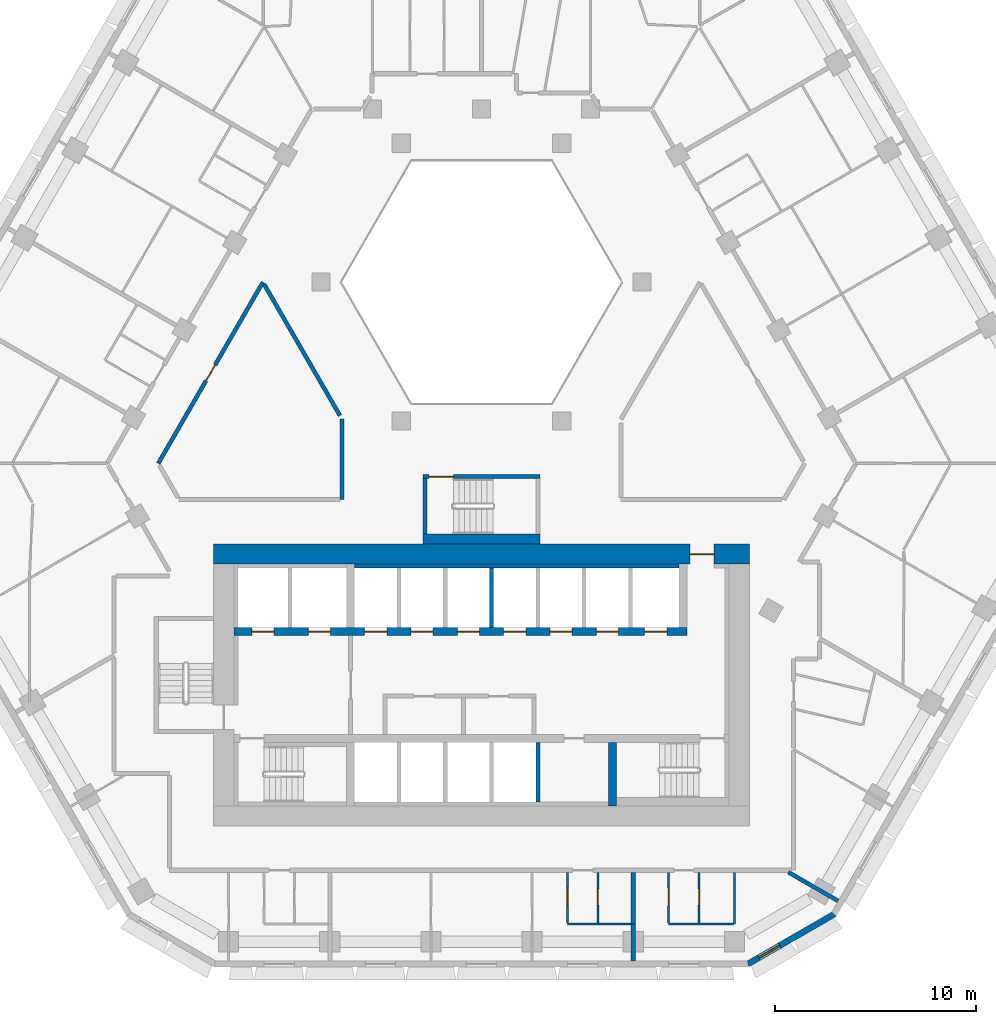
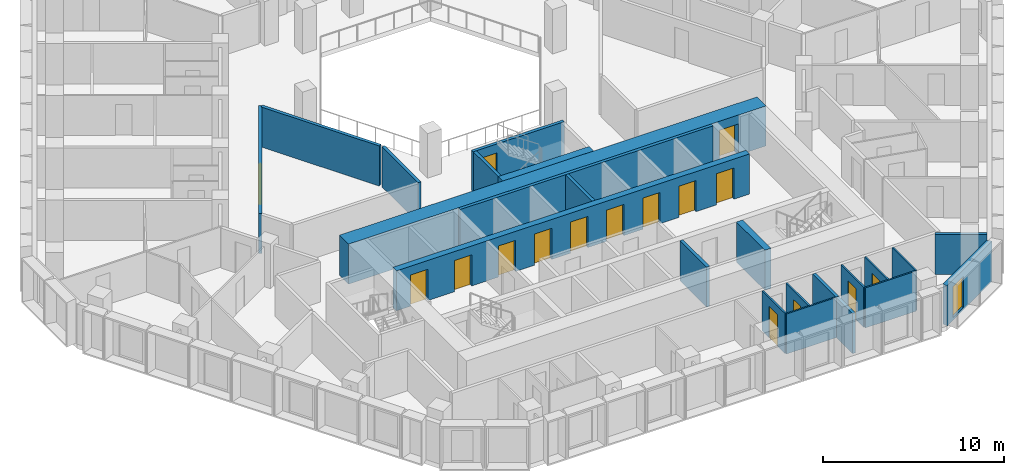
# One storey, part 5 of 15: 23 walls, 16 doors, 1 window, 17 openings.
"""IFC4 building model written with IfcOpenShell, lengths in metres."""

from ifc_helpers import new_model, si_unit, direction, frame, frame_2d, origin, place, context, subcontext, project, spatial, polyline, rectangle, outline, extrude, material, layer, layer_set, type_object, element, fill, save


model = new_model("IFC4")

# Units and contexts
model_context = context("Model", 3, precision=1e-05, world=origin(), true_north=direction((0.0, 1.0)))
body_context = subcontext(model_context, "Body", "Model", "MODEL_VIEW")
ifc_project = project(units=[si_unit("LENGTHUNIT", "METRE"), si_unit("AREAUNIT", "SQUARE_METRE"), si_unit("VOLUMEUNIT", "CUBIC_METRE"), si_unit("PLANEANGLEUNIT", "RADIAN"), si_unit("MASSUNIT", "GRAM", prefix="KILO")], contexts=[model_context])

# Site, building, storey
site_placement = place(None, origin())
site = spatial("IfcSite", under=ifc_project, at=site_placement, CompositionType="ELEMENT")
building_placement = place(site_placement, origin())
building = spatial("IfcBuilding", under=site, at=building_placement, Name="Beryl Residences", CompositionType="ELEMENT")
storey_placement = place(building_placement, frame((0.0, 0.0, 72.0)))
storey = spatial("IfcBuildingStorey", under=building, at=storey_placement, Name="L21", CompositionType="ELEMENT", Elevation=72.0)

# Wall, opening, window
ifc_material_1 = material(Name="Composite metal panel with mineral wool insulation")
ifc_layer_1 = layer(ifc_material_1, 0.300048828125)
ifc_layer_set_1 = layer_set([ifc_layer_1], Name="ES1 pale metal composite panel wall 300 mm")
wall_type_1 = type_object("IfcWallType", Name="ES1 pale metal composite panel wall 300 mm", PredefinedType="SOLIDWALL", material=ifc_layer_set_1)
wall_1_placement = place(storey_placement, frame((13.2041015625, -25.8701171875, 0.0), z_axis=(0.0, 0.0, 1.0), x_axis=(0.866010750942, 0.50002537861, 0.0)))
wall_1 = element("IfcWall", 1, at=wall_1_placement, inside=storey, type_object=wall_type_1, Name="ES1 external wall L21 S-SE", PredefinedType="SOLIDWALL", context=body_context, shape_type="SweptSolid", body=[
    extrude(outline(polyline([(0.0, -0.14990234375), (4.999755859375, -0.14990234375), (4.91943359375, 0.14990234375), (0.080322265625, 0.14990234375), (0.0, -0.14990234375)])), origin(), (0.0, 0.0, 1.0), 2.699951171875),
])
opening_1_placement = place(wall_1_placement, frame((0.64990234375, 0.0, 0.14990234375)))
opening_1 = element("IfcOpeningElement", 2, at=opening_1_placement, cuts=wall_1, Name="Opening W2", PredefinedType="OPENING", context=body_context, shape_type="SweptSolid", body=[
    extrude(rectangle(XDim=1.199951171875, YDim=2.10009765625, at=frame_2d((0.60009765625, 1.050048828125))), frame((0.0, 0.159912109375, 0.0), z_axis=(0.0, -1.0, 0.0), x_axis=(1.0, 0.0, 0.0)), (0.0, 0.0, 1.0), 0.320068359375),
])
ifc_material_2 = material(Name="Aluminium and clear glass", Category="aluminium")
window_type = type_object("IfcWindowType", Name="W2 chamfer window 1200 x 2100 mm", PartitioningType="SINGLE_PANEL", PredefinedType="WINDOW", material=ifc_material_2)
window_placement = place(opening_1_placement, origin())
window = element("IfcWindow", 3, at=window_placement, inside=storey, type_object=window_type, Name="W2 window L21 S-SE 1", OverallHeight=2.10009765625, OverallWidth=1.199951171875, PartitioningType="SINGLE_PANEL", PredefinedType="WINDOW", context=body_context, shape_type="SweptSolid", body=[
    extrude(rectangle(XDim=1.199951171875, YDim=2.10009765625, at=frame_2d((0.60009765625, 1.050048828125))), frame((0.0, 0.030029296875, 0.0), z_axis=(0.0, -1.0, 0.0), x_axis=(1.0, 0.0, 0.0)), (0.0, 0.0, 1.0), 0.06005859375),
])
fill(opening_1, window)

# Wall, opening, door
ifc_material_3 = material(Name="Gypsum board partition on steel studs", Category="steel")
ifc_layer_2 = layer(ifc_material_3, 0.10009765625)
ifc_layer_set_2 = layer_set([ifc_layer_2], Name="PT1 partition 100 mm gypsum board on steel studs")
wall_type_2 = type_object("IfcWallType", Name="PT1 partition 100 mm gypsum board on steel studs", PredefinedType="PARTITIONING", material=ifc_layer_set_2)
wall_2_placement = place(storey_placement, frame((4.27001953125, -21.300048828125, 0.0), z_axis=(0.0, 0.0, 1.0), x_axis=(0.0, -1.0, 0.0)))
wall_2 = element("IfcWall", 4, at=wall_2_placement, inside=storey, type_object=wall_type_2, Name="Wall PT1 L21 012", PredefinedType="PARTITIONING", context=body_context, shape_type="SweptSolid", body=[
    extrude(rectangle(XDim=2.509033203125, YDim=0.10009765625, at=frame_2d((1.25439453125, 0.0))), origin(), (0.0, 0.0, 1.0), 2.699951171875),
])
opening_2_placement = place(wall_2_placement, frame((0.780029296875, 0.0, 0.0)))
opening_2 = element("IfcOpeningElement", 5, at=opening_2_placement, cuts=wall_2, Name="Opening D0852", PredefinedType="OPENING", context=body_context, shape_type="SweptSolid", body=[
    extrude(rectangle(XDim=0.89990234375, YDim=2.10009765625, at=frame_2d((0.449951171875, 1.050048828125))), frame((0.0, 0.06005859375, 0.0), z_axis=(0.0, -1.0, 0.0), x_axis=(1.0, 0.0, 0.0)), (0.0, 0.0, 1.0), 0.1201171875),
])
ifc_material_4 = material(Name="Timber door leaf", Category="wood")
door_type_1 = type_object("IfcDoorType", Name="D2 room door 900 x 2100 mm", OperationType="SINGLE_SWING_LEFT", PredefinedType="DOOR", material=ifc_material_4)
door_1_placement = place(opening_2_placement, origin())
door_1 = element("IfcDoor", 6, at=door_1_placement, inside=storey, type_object=door_type_1, Name="Door D0852 L21 001", OperationType="SINGLE_SWING_RIGHT", OverallHeight=2.10009765625, OverallWidth=0.89990234375, PredefinedType="DOOR", context=body_context, shape_type="SweptSolid", body=[
    extrude(rectangle(XDim=0.89990234375, YDim=2.10009765625, at=frame_2d((0.449951171875, 1.050048828125))), frame((0.0, 0.02490234375, 0.0), z_axis=(0.0, -1.0, 0.0), x_axis=(1.0, 0.0, 0.0)), (0.0, 0.0, 1.0), 0.050048828125),
])
fill(opening_2, door_1)

wall_3_placement = place(storey_placement, frame((9.29296875, -21.300048828125, 0.0), z_axis=(0.0, 0.0, 1.0), x_axis=(0.0, -1.0, 0.0)))
wall_3 = element("IfcWall", 7, at=wall_3_placement, inside=storey, type_object=wall_type_2, Name="Wall PT1 L21 013", PredefinedType="PARTITIONING", context=body_context, shape_type="SweptSolid", body=[
    extrude(rectangle(XDim=2.509033203125, YDim=0.10009765625, at=frame_2d((1.25439453125, 0.0))), origin(), (0.0, 0.0, 1.0), 2.699951171875),
])
opening_3_placement = place(wall_3_placement, frame((0.780029296875, 0.0, 0.0)))
opening_3 = element("IfcOpeningElement", 8, at=opening_3_placement, cuts=wall_3, Name="Opening D0857", PredefinedType="OPENING", context=body_context, shape_type="SweptSolid", body=[
    extrude(rectangle(XDim=0.89990234375, YDim=2.10009765625, at=frame_2d((0.449951171875, 1.050048828125))), frame((0.0, 0.06005859375, 0.0), z_axis=(0.0, -1.0, 0.0), x_axis=(1.0, 0.0, 0.0)), (0.0, 0.0, 1.0), 0.1201171875),
])
door_2_placement = place(opening_3_placement, origin())
door_2 = element("IfcDoor", 9, at=door_2_placement, inside=storey, type_object=door_type_1, Name="Door D0857 L21 001", OperationType="SINGLE_SWING_LEFT", OverallHeight=2.10009765625, OverallWidth=0.89990234375, PredefinedType="DOOR", context=body_context, shape_type="SweptSolid", body=[
    extrude(rectangle(XDim=0.89990234375, YDim=2.10009765625, at=frame_2d((0.449951171875, 1.050048828125))), frame((0.0, 0.02490234375, 0.0), z_axis=(0.0, -1.0, 0.0), x_axis=(1.0, 0.0, 0.0)), (0.0, 0.0, 1.0), 0.050048828125),
])
fill(opening_3, door_2)

# Walls
wall_4_placement = place(storey_placement, frame((4.27099609375, -23.860107421875, 0.0), z_axis=(0.0, 0.0, 1.0), x_axis=(1.0, 0.0, 0.0)))
element("IfcWall", 10, at=wall_4_placement, inside=storey, type_object=wall_type_2, Name="Wall PT1 L21 030", PredefinedType="PARTITIONING", context=body_context, shape_type="SweptSolid", body=[
    extrude(rectangle(XDim=3.1640625, YDim=0.10009765625, at=frame_2d((1.58203125, 0.0))), origin(), (0.0, 0.0, 1.0), 2.699951171875),
])
wall_5_placement = place(storey_placement, frame((9.2939453125, -23.860107421875, 0.0), z_axis=(0.0, 0.0, 1.0), x_axis=(1.0, 0.0, 0.0)))
element("IfcWall", 11, at=wall_5_placement, inside=storey, type_object=wall_type_2, Name="Wall PT1 L21 031", PredefinedType="PARTITIONING", context=body_context, shape_type="SweptSolid", body=[
    extrude(rectangle(XDim=3.213134765625, YDim=0.10009765625, at=frame_2d((1.6064453125, 0.0))), origin(), (0.0, 0.0, 1.0), 2.699951171875),
])

# Wall, opening, door
wall_6_placement = place(storey_placement, frame((5.777099609375, -23.81005859375, 0.0), z_axis=(0.0, 0.0, 1.0), x_axis=(0.0, 1.0, 0.0)))
wall_6 = element("IfcWall", 12, at=wall_6_placement, inside=storey, type_object=wall_type_2, Name="Wall PT1 L21 048", PredefinedType="PARTITIONING", context=body_context, shape_type="SweptSolid", body=[
    extrude(rectangle(XDim=2.510009765625, YDim=0.10009765625, at=frame_2d((1.2548828125, 0.0))), origin(), (0.0, 0.0, 1.0), 2.699951171875),
])
opening_4_placement = place(wall_6_placement, frame((0.8798828125, 0.0, 0.0)))
opening_4 = element("IfcOpeningElement", 13, at=opening_4_placement, cuts=wall_6, Name="Opening D0853", PredefinedType="OPENING", context=body_context, shape_type="SweptSolid", body=[
    extrude(rectangle(XDim=0.800048828125, YDim=2.10009765625, at=frame_2d((0.39990234375, 1.050048828125))), frame((0.0, 0.06005859375, 0.0), z_axis=(0.0, -1.0, 0.0), x_axis=(1.0, 0.0, 0.0)), (0.0, 0.0, 1.0), 0.1201171875),
])
ifc_material_5 = material(Name="Timber door leaf", Category="wood")
door_type_2 = type_object("IfcDoorType", Name="D3 bathroom door 800 x 2100 mm", OperationType="SINGLE_SWING_LEFT", PredefinedType="DOOR", material=ifc_material_5)
door_3_placement = place(opening_4_placement, origin())
door_3 = element("IfcDoor", 14, at=door_3_placement, inside=storey, type_object=door_type_2, Name="Door D0853 L21 001", OperationType="SINGLE_SWING_LEFT", OverallHeight=2.10009765625, OverallWidth=0.800048828125, PredefinedType="DOOR", context=body_context, shape_type="SweptSolid", body=[
    extrude(rectangle(XDim=0.800048828125, YDim=2.10009765625, at=frame_2d((0.39990234375, 1.050048828125))), frame((0.0, 0.02490234375, 0.0), z_axis=(0.0, -1.0, 0.0), x_axis=(1.0, 0.0, 0.0)), (0.0, 0.0, 1.0), 0.050048828125),
])
fill(opening_4, door_3)

wall_7_placement = place(storey_placement, frame((10.800048828125, -23.81005859375, 0.0), z_axis=(0.0, 0.0, 1.0), x_axis=(0.0, 1.0, 0.0)))
wall_7 = element("IfcWall", 15, at=wall_7_placement, inside=storey, type_object=wall_type_2, Name="Wall PT1 L21 049", PredefinedType="PARTITIONING", context=body_context, shape_type="SweptSolid", body=[
    extrude(rectangle(XDim=2.510009765625, YDim=0.10009765625, at=frame_2d((1.2548828125, 0.0))), origin(), (0.0, 0.0, 1.0), 2.699951171875),
])
opening_5_placement = place(wall_7_placement, frame((0.8798828125, 0.0, 0.0)))
opening_5 = element("IfcOpeningElement", 16, at=opening_5_placement, cuts=wall_7, Name="Opening D0858", PredefinedType="OPENING", context=body_context, shape_type="SweptSolid", body=[
    extrude(rectangle(XDim=0.800048828125, YDim=2.10009765625, at=frame_2d((0.39990234375, 1.050048828125))), frame((0.0, 0.06005859375, 0.0), z_axis=(0.0, -1.0, 0.0), x_axis=(1.0, 0.0, 0.0)), (0.0, 0.0, 1.0), 0.1201171875),
])
door_4_placement = place(opening_5_placement, origin())
door_4 = element("IfcDoor", 17, at=door_4_placement, inside=storey, type_object=door_type_2, Name="Door D0858 L21 001", OperationType="SINGLE_SWING_RIGHT", OverallHeight=2.10009765625, OverallWidth=0.800048828125, PredefinedType="DOOR", context=body_context, shape_type="SweptSolid", body=[
    extrude(rectangle(XDim=0.800048828125, YDim=2.10009765625, at=frame_2d((0.39990234375, 1.050048828125))), frame((0.0, 0.02490234375, 0.0), z_axis=(0.0, -1.0, 0.0), x_axis=(1.0, 0.0, 0.0)), (0.0, 0.0, 1.0), 0.050048828125),
])
fill(opening_5, door_4)

# Walls
wall_8_placement = place(storey_placement, frame((12.55810546875, -23.85888671875, 0.0), z_axis=(0.0, 0.0, 1.0), x_axis=(0.0, 1.0, 0.0)))
element("IfcWall", 18, at=wall_8_placement, inside=storey, type_object=wall_type_2, Name="Wall PT1 L21 051", PredefinedType="PARTITIONING", context=body_context, shape_type="SweptSolid", body=[
    extrude(rectangle(XDim=2.558837890625, YDim=0.10009765625, at=frame_2d((1.279296875, 0.0))), origin(), (0.0, 0.0, 1.0), 2.699951171875),
])
ifc_material_6 = material(Name="Acoustic double stud gypsum board wall")
ifc_layer_3 = layer(ifc_material_6, 0.199951171875)
ifc_layer_set_3 = layer_set([ifc_layer_3], Name="PT3 party wall 200 mm acoustic double stud")
wall_type_3 = type_object("IfcWallType", Name="PT3 party wall 200 mm acoustic double stud", PredefinedType="PARTITIONING", material=ifc_layer_set_3)
wall_9_placement = place(storey_placement, frame((7.534912109375, -23.860107421875, 0.0), z_axis=(0.0, 0.0, 1.0), x_axis=(0.0, -1.0, 0.0)))
element("IfcWall", 19, at=wall_9_placement, inside=storey, type_object=wall_type_3, Name="Wall PT3 L21 002", PredefinedType="PARTITIONING", context=body_context, shape_type="SweptSolid", body=[
    extrude(rectangle(XDim=1.83984375, YDim=0.199951171875, at=frame_2d((0.919921875, 0.0))), origin(), (0.0, 0.0, 1.0), 2.699951171875),
])
wall_10_placement = place(storey_placement, frame((15.239990234375, -21.300048828125, 0.0), z_axis=(0.0, 0.0, 1.0), x_axis=(0.866090043625, -0.499888023795, 0.0)))
element("IfcWall", 20, at=wall_10_placement, inside=storey, type_object=wall_type_3, Name="Wall PT3 L21 004", PredefinedType="PARTITIONING", context=body_context, shape_type="SweptSolid", body=[
    extrude(rectangle(XDim=2.850830078125, YDim=0.199951171875, at=frame_2d((1.42529296875, 0.0))), origin(), (0.0, 0.0, 1.0), 2.699951171875),
])
wall_11_placement = place(storey_placement, frame((7.534912109375, -23.860107421875, 0.0), z_axis=(0.0, 0.0, 1.0), x_axis=(0.0, 1.0, 0.0)))
element("IfcWall", 21, at=wall_11_placement, inside=storey, type_object=wall_type_3, Name="Wall PT3 L21 008", PredefinedType="PARTITIONING", context=body_context, shape_type="SweptSolid", body=[
    extrude(rectangle(XDim=2.56005859375, YDim=0.199951171875, at=frame_2d((1.280029296875, 0.0))), origin(), (0.0, 0.0, 1.0), 2.699951171875),
])
ifc_material_7 = material(Name="Double stud gypsum board wall")
ifc_layer_4 = layer(ifc_material_7, 0.199951171875)
ifc_layer_set_4 = layer_set([ifc_layer_4], Name="PT4 corridor wall 200 mm double stud")
wall_type_4 = type_object("IfcWallType", Name="PT4 corridor wall 200 mm double stud", PredefinedType="PARTITIONING", material=ifc_layer_set_4)
wall_12_placement = place(storey_placement, frame((-10.7958984375, 7.89892578125, 0.0), z_axis=(0.0, 0.0, 1.0), x_axis=(0.500010383074, -0.866019409031, 0.0)))
element("IfcWall", 22, at=wall_12_placement, inside=storey, type_object=wall_type_4, Name="Wall PT4 L21 001", PredefinedType="PARTITIONING", context=body_context, shape_type="SweptSolid", body=[
    extrude(rectangle(XDim=7.535400390625, YDim=0.199951171875, at=frame_2d((3.767578125, 0.0))), origin(), (0.0, 0.0, 1.0), 2.699951171875),
])

# Wall, opening, door
wall_13_placement = place(storey_placement, frame((-16.050048828125, -1.0, 0.0), z_axis=(0.0, 0.0, 1.0), x_axis=(0.499962449088, 0.866047082728, 0.0)))
wall_13 = element("IfcWall", 23, at=wall_13_placement, inside=storey, type_object=wall_type_4, Name="Wall PT4 L21 027", PredefinedType="PARTITIONING", context=body_context, shape_type="SweptSolid", body=[
    extrude(rectangle(XDim=10.390869140625, YDim=0.199951171875, at=frame_2d((5.1953125, 0.0))), origin(), (0.0, 0.0, 1.0), 2.699951171875),
])
opening_6_placement = place(wall_13_placement, frame((4.7451171875, 0.0, 0.0)))
opening_6 = element("IfcOpeningElement", 24, at=opening_6_placement, cuts=wall_13, Name="Opening D0863", PredefinedType="OPENING", context=body_context, shape_type="SweptSolid", body=[
    extrude(rectangle(XDim=0.89990234375, YDim=2.10009765625, at=frame_2d((0.449951171875, 1.050048828125))), frame((0.0, 0.10986328125, 0.0), z_axis=(0.0, -1.0, 0.0), x_axis=(1.0, 0.0, 0.0)), (0.0, 0.0, 1.0), 0.219970703125),
])
door_5_placement = place(opening_6_placement, origin())
door_5 = element("IfcDoor", 25, at=door_5_placement, inside=storey, type_object=door_type_1, Name="Door D0863 L21 001", OperationType="SINGLE_SWING_LEFT", OverallHeight=2.10009765625, OverallWidth=0.89990234375, PredefinedType="DOOR", context=body_context, shape_type="SweptSolid", body=[
    extrude(rectangle(XDim=0.89990234375, YDim=2.10009765625, at=frame_2d((0.449951171875, 1.050048828125))), frame((0.0, 0.02490234375, 0.0), z_axis=(0.0, -1.0, 0.0), x_axis=(1.0, 0.0, 0.0)), (0.0, 0.0, 1.0), 0.050048828125),
])
fill(opening_6, door_5)

# Wall
wall_14_placement = place(storey_placement, frame((-6.927978515625, -2.799072265625, 0.0), z_axis=(0.0, 0.0, 1.0), x_axis=(0.0, 1.0, 0.0)))
element("IfcWall", 26, at=wall_14_placement, inside=storey, type_object=wall_type_4, Name="Wall PT4 L21 034", PredefinedType="PARTITIONING", context=body_context, shape_type="SweptSolid", body=[
    extrude(rectangle(XDim=3.9990234375, YDim=0.199951171875, at=frame_2d((1.99951171875, 0.0))), origin(), (0.0, 0.0, 1.0), 2.699951171875),
])

# Wall, opening, door
ifc_material_8 = material(Name="Concrete C40/50", Category="concrete")
ifc_layer_5 = layer(ifc_material_8, 0.199951171875)
ifc_layer_set_5 = layer_set([ifc_layer_5], Name="PT5 stair enclosure wall 200 mm reinforced concrete C40/50")
wall_type_5 = type_object("IfcWallType", Name="PT5 stair enclosure wall 200 mm reinforced concrete C40/50", PredefinedType="SOLIDWALL", material=ifc_layer_set_5)
wall_15_placement = place(storey_placement, frame((-2.89990234375, -1.64990234375, 0.0), z_axis=(0.0, 0.0, 1.0), x_axis=(1.0, 0.0, 0.0)))
wall_15 = element("IfcWall", 27, at=wall_15_placement, inside=storey, type_object=wall_type_5, Name="Wall PT5 L21 001", PredefinedType="SOLIDWALL", context=body_context, shape_type="SweptSolid", body=[
    extrude(rectangle(XDim=5.7998046875, YDim=0.199951171875, at=frame_2d((2.89990234375, 0.0))), origin(), (0.0, 0.0, 1.0), 2.699951171875),
])
opening_7_placement = place(wall_15_placement, frame((0.300048828125, 0.0, 0.0)))
opening_7 = element("IfcOpeningElement", 28, at=opening_7_placement, cuts=wall_15, Name="Opening DS04", PredefinedType="OPENING", context=body_context, shape_type="SweptSolid", body=[
    extrude(rectangle(XDim=1.199951171875, YDim=2.10009765625, at=frame_2d((0.60009765625, 1.050048828125))), frame((0.0, 0.10986328125, 0.0), z_axis=(0.0, -1.0, 0.0), x_axis=(1.0, 0.0, 0.0)), (0.0, 0.0, 1.0), 0.219970703125),
])
ifc_material_9 = material(Name="Steel door leaf in steel frame", Category="steel")
door_type_3 = type_object("IfcDoorType", Name="D4 stair door 1200 x 2100 mm", OperationType="SINGLE_SWING_LEFT", PredefinedType="DOOR", material=ifc_material_9)
door_6_placement = place(opening_7_placement, origin())
door_6 = element("IfcDoor", 29, at=door_6_placement, inside=storey, type_object=door_type_3, Name="Door DS04 L21 001", OperationType="SINGLE_SWING_LEFT", OverallHeight=2.10009765625, OverallWidth=1.199951171875, PredefinedType="DOOR", context=body_context, shape_type="SweptSolid", body=[
    extrude(rectangle(XDim=1.199951171875, YDim=2.10009765625, at=frame_2d((0.60009765625, 1.050048828125))), frame((0.0, 0.02490234375, 0.0), z_axis=(0.0, -1.0, 0.0), x_axis=(1.0, 0.0, 0.0)), (0.0, 0.0, 1.0), 0.050048828125),
])
fill(opening_7, door_6)

# Walls
wall_16_placement = place(storey_placement, frame((-2.800048828125, -4.5, 0.0), z_axis=(0.0, 0.0, 1.0), x_axis=(0.0, 1.0, 0.0)))
element("IfcWall", 30, at=wall_16_placement, inside=storey, type_object=wall_type_5, Name="Wall PT5 L21 002", PredefinedType="SOLIDWALL", context=body_context, shape_type="SweptSolid", body=[
    extrude(rectangle(XDim=2.75, YDim=0.199951171875, at=frame_2d((1.375, 0.0))), origin(), (0.0, 0.0, 1.0), 2.699951171875),
])
ifc_material_10 = material(Name="Concrete C40/50", Category="concrete")
ifc_layer_6 = layer(ifc_material_10, 0.5)
ifc_layer_set_6 = layer_set([ifc_layer_6], Name="PT5-500 stair enclosure wall 500 mm")
wall_type_6 = type_object("IfcWallType", Name="PT5-500 stair enclosure wall 500 mm", PredefinedType="SOLIDWALL", material=ifc_layer_set_6)
wall_17_placement = place(storey_placement, frame((-2.89990234375, -4.75, 0.0), z_axis=(0.0, 0.0, 1.0), x_axis=(1.0, 0.0, 0.0)))
element("IfcWall", 31, at=wall_17_placement, inside=storey, type_object=wall_type_6, Name="Wall PT5-500 L21 001", PredefinedType="SOLIDWALL", context=body_context, shape_type="SweptSolid", body=[
    extrude(rectangle(XDim=5.7998046875, YDim=0.5, at=frame_2d((2.89990234375, 0.0))), origin(), (0.0, 0.0, 1.0), 2.699951171875),
])
ifc_material_11 = material(Name="Concrete C40/50", Category="concrete")
ifc_layer_7 = layer(ifc_material_11, 0.199951171875)
ifc_layer_set_7 = layer_set([ifc_layer_7], Name="PT6 lift shaft wall 200 mm reinforced concrete C40/50")
wall_type_7 = type_object("IfcWallType", Name="PT6 lift shaft wall 200 mm reinforced concrete C40/50", PredefinedType="SOLIDWALL", material=ifc_layer_set_7)
wall_18_placement = place(storey_placement, frame((-6.300048828125, -6.10009765625, 0.0), z_axis=(0.0, 0.0, 1.0), x_axis=(1.0, 0.0, 0.0)))
element("IfcWall", 32, at=wall_18_placement, inside=storey, type_object=wall_type_7, Name="Lift shaft wall 13", PredefinedType="SOLIDWALL", context=body_context, shape_type="SweptSolid", body=[
    extrude(rectangle(XDim=16.10009765625, YDim=0.199951171875, at=frame_2d((8.050048828125, 0.0))), origin(), (0.0, 0.0, 1.0), 2.699951171875),
])
for number, where, z_axis, x_axis, name in (
    (33, (0.5, -9.14990234375, 0.0), (0.0, 0.0, 1.0), (0.0, 1.0, 0.0), "Lift shaft wall 22"),
    (34, (2.800048828125, -17.800048828125, 0.0), (0.0, 0.0, 1.0), (0.0, 1.0, 0.0), "Lift shaft wall 24"),
):
    element("IfcWall", number, at=place(storey_placement, frame(where, z_axis=z_axis, x_axis=x_axis)), inside=storey, type_object=wall_type_7, Name=name, PredefinedType="SOLIDWALL", context=body_context, shape_type="SweptSolid", body=[
        extrude(rectangle(XDim=2.949951171875, YDim=0.199951171875, at=frame_2d((1.47509765625, 0.0))), origin(), (0.0, 0.0, 1.0), 2.699951171875),
    ])

# Wall, opening, door
ifc_material_12 = material(Name="Concrete C70/85", Category="concrete")
ifc_layer_8 = layer(ifc_material_12, 1.0)
ifc_layer_set_8 = layer_set([ifc_layer_8], Name="SW2 core outer wall 1000 mm C70/85")
wall_type_8 = type_object("IfcWallType", Name="SW2 core outer wall 1000 mm C70/85", PredefinedType="SHEAR", material=ifc_layer_set_8)
wall_19_placement = place(storey_placement, frame((-13.300048828125, -5.5, 0.0), z_axis=(0.0, 0.0, 1.0), x_axis=(1.0, 0.0, 0.0)))
wall_19 = element("IfcWall", 35, at=wall_19_placement, inside=storey, type_object=wall_type_8, Name="Core wall N L21", PredefinedType="SHEAR", context=body_context, shape_type="SweptSolid", body=[
    extrude(rectangle(XDim=26.60009765625, YDim=1.0, at=frame_2d((13.300048828125, 0.0))), origin(), (0.0, 0.0, 1.0), 2.699951171875),
])
opening_8_placement = place(wall_19_placement, frame((23.64990234375, 0.0, 0.0)))
opening_8 = element("IfcOpeningElement", 36, at=opening_8_placement, cuts=wall_19, Name="Opening FD-NORTH", PredefinedType="OPENING", context=body_context, shape_type="SweptSolid", body=[
    extrude(rectangle(XDim=1.199951171875, YDim=2.10009765625, at=frame_2d((0.60009765625, 1.050048828125))), frame((0.0, 0.510009765625, 0.0), z_axis=(0.0, -1.0, 0.0), x_axis=(1.0, 0.0, 0.0)), (0.0, 0.0, 1.0), 1.02001953125),
])
ifc_material_13 = material(Name="Steel door leaf in steel frame", Category="steel")
door_type_4 = type_object("IfcDoorType", Name="D22 lobby door 1200 x 2100 mm", OperationType="DOUBLE_DOOR_SINGLE_SWING", PredefinedType="DOOR", material=ifc_material_13)
door_7_placement = place(opening_8_placement, origin())
door_7 = element("IfcDoor", 37, at=door_7_placement, inside=storey, type_object=door_type_4, Name="Door FD-NORTH L21 001", OperationType="DOUBLE_DOOR_SINGLE_SWING", OverallHeight=2.10009765625, OverallWidth=1.199951171875, PredefinedType="DOOR", context=body_context, shape_type="SweptSolid", body=[
    extrude(rectangle(XDim=1.199951171875, YDim=2.10009765625, at=frame_2d((0.60009765625, 1.050048828125))), frame((0.0, 0.02490234375, 0.0), z_axis=(0.0, -1.0, 0.0), x_axis=(1.0, 0.0, 0.0)), (0.0, 0.0, 1.0), 0.050048828125),
])
fill(opening_8, door_7)

# Wall, openings, doors
ifc_material_14 = material(Name="Concrete C70/85", Category="concrete")
ifc_layer_9 = layer(ifc_material_14, 0.39990234375)
ifc_layer_set_9 = layer_set([ifc_layer_9], Name="SW7 core internal wall 400 mm C70/85")
wall_type_9 = type_object("IfcWallType", Name="SW7 core internal wall 400 mm C70/85", PredefinedType="SHEAR", material=ifc_layer_set_9)
wall_20_placement = place(storey_placement, frame((-12.300048828125, -9.35009765625, 0.0), z_axis=(0.0, 0.0, 1.0), x_axis=(1.0, 0.0, 0.0)))
wall_20 = element("IfcWall", 38, at=wall_20_placement, inside=storey, type_object=wall_type_9, Name="Core wall SP2 L21", PredefinedType="SHEAR", context=body_context, shape_type="SweptSolid", body=[
    extrude(rectangle(XDim=22.5, YDim=0.39990234375, at=frame_2d((11.25, 0.0))), origin(), (0.0, 0.0, 1.0), 2.699951171875),
])
opening_9_placement = place(wall_20_placement, frame((0.89990234375, 0.0, 0.0)))
opening_9 = element("IfcOpeningElement", 39, at=opening_9_placement, cuts=wall_20, Name="Opening LD-FF1", PredefinedType="OPENING", context=body_context, shape_type="SweptSolid", body=[
    extrude(rectangle(XDim=1.10009765625, YDim=2.10009765625, at=frame_2d((0.550048828125, 1.050048828125))), frame((0.0, 0.2099609375, 0.0), z_axis=(0.0, -1.0, 0.0), x_axis=(1.0, 0.0, 0.0)), (0.0, 0.0, 1.0), 0.419921875),
])
opening_10_placement = place(wall_20_placement, frame((3.699951171875, 0.0, 0.0)))
opening_10 = element("IfcOpeningElement", 40, at=opening_10_placement, cuts=wall_20, Name="Opening LD-FF2", PredefinedType="OPENING", context=body_context, shape_type="SweptSolid", body=[
    extrude(rectangle(XDim=1.10009765625, YDim=2.10009765625, at=frame_2d((0.550048828125, 1.050048828125))), frame((0.0, 0.2099609375, 0.0), z_axis=(0.0, -1.0, 0.0), x_axis=(1.0, 0.0, 0.0)), (0.0, 0.0, 1.0), 0.419921875),
])
opening_11_placement = place(wall_20_placement, frame((6.5, 0.0, 0.0)))
opening_11 = element("IfcOpeningElement", 41, at=opening_11_placement, cuts=wall_20, Name="Opening LD-LR1", PredefinedType="OPENING", context=body_context, shape_type="SweptSolid", body=[
    extrude(rectangle(XDim=1.10009765625, YDim=2.10009765625, at=frame_2d((0.550048828125, 1.050048828125))), frame((0.0, 0.2099609375, 0.0), z_axis=(0.0, -1.0, 0.0), x_axis=(1.0, 0.0, 0.0)), (0.0, 0.0, 1.0), 0.419921875),
])
opening_12_placement = place(wall_20_placement, frame((8.800048828125, 0.0, 0.0)))
opening_12 = element("IfcOpeningElement", 42, at=opening_12_placement, cuts=wall_20, Name="Opening LD-LR2", PredefinedType="OPENING", context=body_context, shape_type="SweptSolid", body=[
    extrude(rectangle(XDim=1.10009765625, YDim=2.10009765625, at=frame_2d((0.550048828125, 1.050048828125))), frame((0.0, 0.2099609375, 0.0), z_axis=(0.0, -1.0, 0.0), x_axis=(1.0, 0.0, 0.0)), (0.0, 0.0, 1.0), 0.419921875),
])
opening_13_placement = place(wall_20_placement, frame((11.10009765625, 0.0, 0.0)))
opening_13 = element("IfcOpeningElement", 43, at=opening_13_placement, cuts=wall_20, Name="Opening LD-LR3", PredefinedType="OPENING", context=body_context, shape_type="SweptSolid", body=[
    extrude(rectangle(XDim=1.10009765625, YDim=2.10009765625, at=frame_2d((0.550048828125, 1.050048828125))), frame((0.0, 0.2099609375, 0.0), z_axis=(0.0, -1.0, 0.0), x_axis=(1.0, 0.0, 0.0)), (0.0, 0.0, 1.0), 0.419921875),
])
opening_14_placement = place(wall_20_placement, frame((13.39990234375, 0.0, 0.0)))
opening_14 = element("IfcOpeningElement", 44, at=opening_14_placement, cuts=wall_20, Name="Opening LD-LR4", PredefinedType="OPENING", context=body_context, shape_type="SweptSolid", body=[
    extrude(rectangle(XDim=1.10009765625, YDim=2.10009765625, at=frame_2d((0.550048828125, 1.050048828125))), frame((0.0, 0.2099609375, 0.0), z_axis=(0.0, -1.0, 0.0), x_axis=(1.0, 0.0, 0.0)), (0.0, 0.0, 1.0), 0.419921875),
])
opening_15_placement = place(wall_20_placement, frame((15.699951171875, 0.0, 0.0)))
opening_15 = element("IfcOpeningElement", 45, at=opening_15_placement, cuts=wall_20, Name="Opening LD-LR5", PredefinedType="OPENING", context=body_context, shape_type="SweptSolid", body=[
    extrude(rectangle(XDim=1.10009765625, YDim=2.10009765625, at=frame_2d((0.550048828125, 1.050048828125))), frame((0.0, 0.2099609375, 0.0), z_axis=(0.0, -1.0, 0.0), x_axis=(1.0, 0.0, 0.0)), (0.0, 0.0, 1.0), 0.419921875),
])
opening_16_placement = place(wall_20_placement, frame((18.0, 0.0, 0.0)))
opening_16 = element("IfcOpeningElement", 46, at=opening_16_placement, cuts=wall_20, Name="Opening LD-LR6", PredefinedType="OPENING", context=body_context, shape_type="SweptSolid", body=[
    extrude(rectangle(XDim=1.10009765625, YDim=2.10009765625, at=frame_2d((0.550048828125, 1.050048828125))), frame((0.0, 0.2099609375, 0.0), z_axis=(0.0, -1.0, 0.0), x_axis=(1.0, 0.0, 0.0)), (0.0, 0.0, 1.0), 0.419921875),
])
opening_17_placement = place(wall_20_placement, frame((20.39990234375, 0.0, 0.0)))
opening_17 = element("IfcOpeningElement", 47, at=opening_17_placement, cuts=wall_20, Name="Opening LD-SL1", PredefinedType="OPENING", context=body_context, shape_type="SweptSolid", body=[
    extrude(rectangle(XDim=1.10009765625, YDim=2.10009765625, at=frame_2d((0.550048828125, 1.050048828125))), frame((0.0, 0.2099609375, 0.0), z_axis=(0.0, -1.0, 0.0), x_axis=(1.0, 0.0, 0.0)), (0.0, 0.0, 1.0), 0.419921875),
])
ifc_material_15 = material(Name="Stainless steel sliding door", Category="steel")
door_type_5 = type_object("IfcDoorType", Name="LD1 lift landing door 1100 x 2100 mm", OperationType="DOUBLE_DOOR_SLIDING", PredefinedType="DOOR", material=ifc_material_15)
door_8_placement = place(opening_9_placement, origin())
door_8 = element("IfcDoor", 48, at=door_8_placement, inside=storey, type_object=door_type_5, Name="Lift landing door FF1", OperationType="DOUBLE_DOOR_SLIDING", OverallHeight=2.10009765625, OverallWidth=1.10009765625, PredefinedType="DOOR", context=body_context, shape_type="SweptSolid", body=[
    extrude(rectangle(XDim=1.10009765625, YDim=2.10009765625, at=frame_2d((0.550048828125, 1.050048828125))), frame((0.0, 0.02490234375, 0.0), z_axis=(0.0, -1.0, 0.0), x_axis=(1.0, 0.0, 0.0)), (0.0, 0.0, 1.0), 0.050048828125),
])
fill(opening_9, door_8)
door_9_placement = place(opening_10_placement, origin())
door_9 = element("IfcDoor", 49, at=door_9_placement, inside=storey, type_object=door_type_5, Name="Lift landing door FF2", OperationType="DOUBLE_DOOR_SLIDING", OverallHeight=2.10009765625, OverallWidth=1.10009765625, PredefinedType="DOOR", context=body_context, shape_type="SweptSolid", body=[
    extrude(rectangle(XDim=1.10009765625, YDim=2.10009765625, at=frame_2d((0.550048828125, 1.050048828125))), frame((0.0, 0.02490234375, 0.0), z_axis=(0.0, -1.0, 0.0), x_axis=(1.0, 0.0, 0.0)), (0.0, 0.0, 1.0), 0.050048828125),
])
fill(opening_10, door_9)
door_10_placement = place(opening_11_placement, origin())
door_10 = element("IfcDoor", 50, at=door_10_placement, inside=storey, type_object=door_type_5, Name="Lift landing door LR1", OperationType="DOUBLE_DOOR_SLIDING", OverallHeight=2.10009765625, OverallWidth=1.10009765625, PredefinedType="DOOR", context=body_context, shape_type="SweptSolid", body=[
    extrude(rectangle(XDim=1.10009765625, YDim=2.10009765625, at=frame_2d((0.550048828125, 1.050048828125))), frame((0.0, 0.02490234375, 0.0), z_axis=(0.0, -1.0, 0.0), x_axis=(1.0, 0.0, 0.0)), (0.0, 0.0, 1.0), 0.050048828125),
])
fill(opening_11, door_10)
door_11_placement = place(opening_12_placement, origin())
door_11 = element("IfcDoor", 51, at=door_11_placement, inside=storey, type_object=door_type_5, Name="Lift landing door LR2", OperationType="DOUBLE_DOOR_SLIDING", OverallHeight=2.10009765625, OverallWidth=1.10009765625, PredefinedType="DOOR", context=body_context, shape_type="SweptSolid", body=[
    extrude(rectangle(XDim=1.10009765625, YDim=2.10009765625, at=frame_2d((0.550048828125, 1.050048828125))), frame((0.0, 0.02490234375, 0.0), z_axis=(0.0, -1.0, 0.0), x_axis=(1.0, 0.0, 0.0)), (0.0, 0.0, 1.0), 0.050048828125),
])
fill(opening_12, door_11)
door_12_placement = place(opening_13_placement, origin())
door_12 = element("IfcDoor", 52, at=door_12_placement, inside=storey, type_object=door_type_5, Name="Lift landing door LR3", OperationType="DOUBLE_DOOR_SLIDING", OverallHeight=2.10009765625, OverallWidth=1.10009765625, PredefinedType="DOOR", context=body_context, shape_type="SweptSolid", body=[
    extrude(rectangle(XDim=1.10009765625, YDim=2.10009765625, at=frame_2d((0.550048828125, 1.050048828125))), frame((0.0, 0.02490234375, 0.0), z_axis=(0.0, -1.0, 0.0), x_axis=(1.0, 0.0, 0.0)), (0.0, 0.0, 1.0), 0.050048828125),
])
fill(opening_13, door_12)
door_13_placement = place(opening_14_placement, origin())
door_13 = element("IfcDoor", 53, at=door_13_placement, inside=storey, type_object=door_type_5, Name="Lift landing door LR4", OperationType="DOUBLE_DOOR_SLIDING", OverallHeight=2.10009765625, OverallWidth=1.10009765625, PredefinedType="DOOR", context=body_context, shape_type="SweptSolid", body=[
    extrude(rectangle(XDim=1.10009765625, YDim=2.10009765625, at=frame_2d((0.550048828125, 1.050048828125))), frame((0.0, 0.02490234375, 0.0), z_axis=(0.0, -1.0, 0.0), x_axis=(1.0, 0.0, 0.0)), (0.0, 0.0, 1.0), 0.050048828125),
])
fill(opening_14, door_13)
door_14_placement = place(opening_15_placement, origin())
door_14 = element("IfcDoor", 54, at=door_14_placement, inside=storey, type_object=door_type_5, Name="Lift landing door LR5", OperationType="DOUBLE_DOOR_SLIDING", OverallHeight=2.10009765625, OverallWidth=1.10009765625, PredefinedType="DOOR", context=body_context, shape_type="SweptSolid", body=[
    extrude(rectangle(XDim=1.10009765625, YDim=2.10009765625, at=frame_2d((0.550048828125, 1.050048828125))), frame((0.0, 0.02490234375, 0.0), z_axis=(0.0, -1.0, 0.0), x_axis=(1.0, 0.0, 0.0)), (0.0, 0.0, 1.0), 0.050048828125),
])
fill(opening_15, door_14)
door_15_placement = place(opening_16_placement, origin())
door_15 = element("IfcDoor", 55, at=door_15_placement, inside=storey, type_object=door_type_5, Name="Lift landing door LR6", OperationType="DOUBLE_DOOR_SLIDING", OverallHeight=2.10009765625, OverallWidth=1.10009765625, PredefinedType="DOOR", context=body_context, shape_type="SweptSolid", body=[
    extrude(rectangle(XDim=1.10009765625, YDim=2.10009765625, at=frame_2d((0.550048828125, 1.050048828125))), frame((0.0, 0.02490234375, 0.0), z_axis=(0.0, -1.0, 0.0), x_axis=(1.0, 0.0, 0.0)), (0.0, 0.0, 1.0), 0.050048828125),
])
fill(opening_16, door_15)
door_16_placement = place(opening_17_placement, origin())
door_16 = element("IfcDoor", 56, at=door_16_placement, inside=storey, type_object=door_type_5, Name="Lift landing door SL1", OperationType="DOUBLE_DOOR_SLIDING", OverallHeight=2.10009765625, OverallWidth=1.10009765625, PredefinedType="DOOR", context=body_context, shape_type="SweptSolid", body=[
    extrude(rectangle(XDim=1.10009765625, YDim=2.10009765625, at=frame_2d((0.550048828125, 1.050048828125))), frame((0.0, 0.02490234375, 0.0), z_axis=(0.0, -1.0, 0.0), x_axis=(1.0, 0.0, 0.0)), (0.0, 0.0, 1.0), 0.050048828125),
])
fill(opening_17, door_16)

# Wall
wall_21_placement = place(storey_placement, frame((6.5, -18.0, 0.0), z_axis=(0.0, 0.0, 1.0), x_axis=(0.0, 1.0, 0.0)))
element("IfcWall", 57, at=wall_21_placement, inside=storey, type_object=wall_type_9, Name="Core wall XS2 L21", PredefinedType="SHEAR", context=body_context, shape_type="SweptSolid", body=[
    extrude(rectangle(XDim=3.14990234375, YDim=0.39990234375, at=frame_2d((1.574951171875, 0.0))), origin(), (0.0, 0.0, 1.0), 2.699951171875),
])

save(model, "model.ifc")
